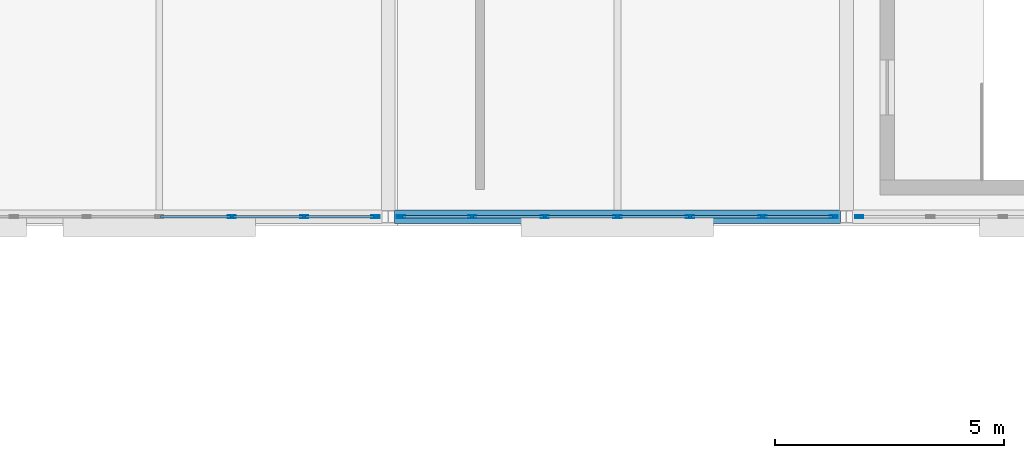
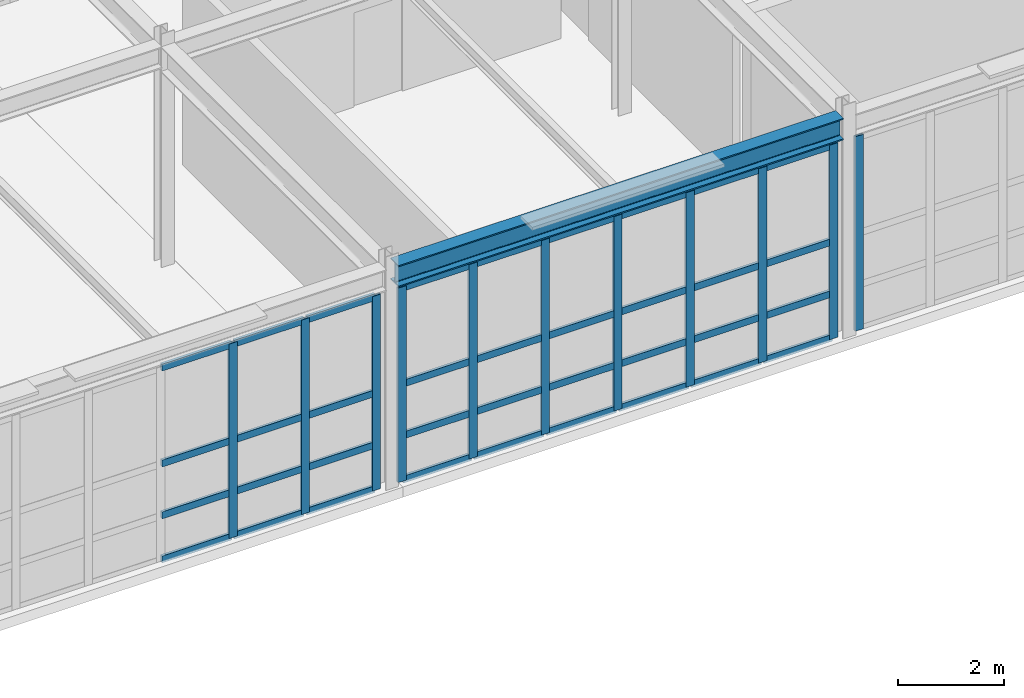
# One storey, part 149 of 239: 47 members, 1 beam, 3 elements without a shape of their own.
"""IFC4 building model written with IfcOpenShell, lengths in metres."""

import ifcopenshell
import ifcopenshell.guid

model = None  # the IFC model being written
_history = None  # IfcOwnerHistory: only IFC2X3 demands one
_inside = {}  # id of a spatial element -> (the spatial element, [elements in it])
_under = {}  # id of a project, library or spatial element -> (it, [spatial elements below it])
_declared = {}  # id of a project -> (the project, [libraries it declares])
_typed = {}  # id of a type object -> (the type object, [elements of that type])
_made_of = {}  # id of a material, layer set ... -> (it, [elements and type objects made of it])


def new_model(schema):
    """Start an empty IFC model of exactly this schema.

    Asked for "IFC4X3", IfcOpenShell would pick the latest addendum, in which some entities
    have other attributes; the version numbers below select the first issue.
    IFC2X3 requires an IfcOwnerHistory on every rooted entity: one is made here for all.
    """
    global model, _history
    if schema == "IFC4X3":
        model = ifcopenshell.file(schema_version=(4, 3, 0, 0))
    else:
        model = ifcopenshell.file(schema=schema)
    _inside.clear()
    _under.clear()
    _declared.clear()
    _typed.clear()
    _made_of.clear()
    _history = None
    if model.schema == "IFC2X3":
        org = make("IfcOrganization", Name="unknown")
        user = make(
            "IfcPersonAndOrganization",
            ThePerson=make("IfcPerson", FamilyName="unknown"),
            TheOrganization=org,
        )
        app = make(
            "IfcApplication",
            ApplicationDeveloper=org,
            Version="unknown",
            ApplicationFullName="unknown",
            ApplicationIdentifier="unknown",
        )
        _history = make(
            "IfcOwnerHistory",
            OwningUser=user,
            OwningApplication=app,
            ChangeAction="ADDED",
            CreationDate=0,
        )
    return model


def make(cls, **values):
    """One entity of the class cls with the attributes given. An attribute that is None is left unset."""
    return model.create_entity(
        cls, **{name: value for name, value in values.items() if value is not None}
    )


def rooted(cls, **values):
    """An entity with a GlobalId (a new one), such as an element, a storey or a relation."""
    return make(cls, GlobalId=ifcopenshell.guid.new(), OwnerHistory=_history, **values)


def si_unit(unit_type, name, prefix=None):
    """IfcSIUnit, for example si_unit("LENGTHUNIT", "METRE", prefix="MILLI")."""
    return make("IfcSIUnit", UnitType=unit_type, Prefix=prefix, Name=name)


def assignment(units):
    """IfcUnitAssignment: the units of a project."""
    return None if units is None else make("IfcUnitAssignment", Units=units)


def point(xyz):
    """IfcCartesianPoint."""
    return None if xyz is None else make("IfcCartesianPoint", Coordinates=xyz)


def direction(xyz):
    """IfcDirection."""
    return None if xyz is None else make("IfcDirection", DirectionRatios=xyz)


def frame(location, z_axis=None, x_axis=None):
    """IfcAxis2Placement3D, a coordinate frame: its origin and axes. An axis left out is left unset."""
    return make(
        "IfcAxis2Placement3D",
        Location=point(location),
        Axis=direction(z_axis),
        RefDirection=direction(x_axis),
    )


def frame_2d(location, x_axis=None):
    """IfcAxis2Placement2D, a coordinate frame in the plane: its origin and x axis."""
    return make(
        "IfcAxis2Placement2D", Location=point(location), RefDirection=direction(x_axis)
    )


def origin():
    """The frame at (0, 0, 0) with its axes left unset."""
    return frame((0.0, 0.0, 0.0))


def origin_2d():
    """The frame at (0, 0) in the plane with its x axis left unset."""
    return frame_2d((0.0, 0.0))


def place(relative_to, where):
    """IfcLocalPlacement: puts the frame where relative to a parent placement (None: the world)."""
    return make(
        "IfcLocalPlacement", PlacementRelTo=relative_to, RelativePlacement=where
    )


def context(
    kind, dimensions, precision=None, world=None, true_north=None, identifier=None
):
    """IfcGeometricRepresentationContext, for example the 3D "Model" context."""
    return make(
        "IfcGeometricRepresentationContext",
        ContextIdentifier=identifier,
        ContextType=kind,
        CoordinateSpaceDimension=dimensions,
        Precision=precision,
        WorldCoordinateSystem=world,
        TrueNorth=true_north,
    )


def subcontext(parent, identifier, kind, view, scale=None):
    """IfcGeometricRepresentationSubContext, for example "Body" below "Model"."""
    return make(
        "IfcGeometricRepresentationSubContext",
        ContextIdentifier=identifier,
        ContextType=kind,
        ParentContext=parent,
        TargetScale=scale,
        TargetView=view,
    )


def project(units=None, contexts=None):
    """IfcProject with its units and contexts."""
    return rooted(
        "IfcProject",
        Name="project",
        RepresentationContexts=contexts,
        UnitsInContext=assignment(units),
    )


def spatial(cls, under=None, at=None, **own):
    """A site, building, storey or space (cls), placed at a placement, below another one or the project."""
    s = rooted(cls, ObjectPlacement=at, **own)
    if under is not None:
        _under.setdefault(under.id(), (under, []))[1].append(s)
    return s


def profile(cls, at=None, kind="AREA", **sizes):
    """A parametric profile (cls). Its sizes go by their IFC names, for example OverallWidth=200.0."""
    return make(cls, ProfileType=kind, Position=at, **sizes)


def hollow_rectangle(**sizes):
    """IfcRectangleHollowProfileDef."""
    return profile("IfcRectangleHollowProfileDef", **sizes)


def i_section(**sizes):
    """IfcIShapeProfileDef."""
    return profile("IfcIShapeProfileDef", **sizes)


def extrude(swept, where, along, depth):
    """IfcExtrudedAreaSolid: the profile swept, set in the frame where, extruded along a direction by depth."""
    return make(
        "IfcExtrudedAreaSolid",
        SweptArea=swept,
        Position=where,
        ExtrudedDirection=direction(along),
        Depth=depth,
    )


def shape(context_of_items, identifier, shape_type, items):
    """IfcShapeRepresentation: the items that make up one representation, for example the "Body"."""
    return make(
        "IfcShapeRepresentation",
        ContextOfItems=context_of_items,
        RepresentationIdentifier=identifier,
        RepresentationType=shape_type,
        Items=items,
    )


def material(Name=None, Category=None):
    """IfcMaterial."""
    return make("IfcMaterial", Name=Name, Category=Category)


def material_profile(
    of_material, cross_section, Name=None, Category=None, Priority=None
):
    """IfcMaterialProfile: a cross section and its material."""
    return make(
        "IfcMaterialProfile",
        Name=Name,
        Material=of_material,
        Profile=cross_section,
        Priority=Priority,
        Category=Category,
    )


def profile_set(profiles, Name=None, composite=None):
    """IfcMaterialProfileSet."""
    return make(
        "IfcMaterialProfileSet",
        Name=Name,
        MaterialProfiles=profiles,
        CompositeProfile=composite,
    )


def made_of(thing, what):
    """Note that an element or type object is made of a material, layer set ...; save() writes the relation."""
    if what is not None:
        _made_of.setdefault(what.id(), (what, []))[1].append(thing)
    return thing


def type_object(cls, material=None, **own):
    """A type object (cls), such as IfcWallType, which elements share."""
    return made_of(rooted(cls, **own), material)


def element(
    cls,
    number,
    at=None,
    inside=None,
    cuts=None,
    type_object=None,
    material=None,
    context=None,
    identifier="Body",
    shape_type=None,
    held_by="IfcProductDefinitionShape",
    body=None,
    shapes=None,
    **own,
):
    """One element of the class cls, such as IfcWall. Its Tag is "e" and its number.

    at: its placement. inside: the storey or other place that contains it. cuts: it is an
    opening in that element (IfcRelVoidsElement). A single representation is given by context,
    identifier, shape_type and body (its items); several are given by shapes. held_by: the class
    of the entity that holds the representations. save() writes the other relations.
    """
    e = rooted(cls, Tag="e%d" % number, ObjectPlacement=at, **own)
    if body is not None:
        shapes = [shape(context, identifier, shape_type, body)]
    if shapes is not None:
        e.Representation = make(held_by, Representations=shapes)
    if inside is not None:
        _inside.setdefault(inside.id(), (inside, []))[1].append(e)
    if cuts is not None:
        rooted(
            "IfcRelVoidsElement", RelatingBuildingElement=cuts, RelatedOpeningElement=e
        )
    if type_object is not None:
        _typed.setdefault(type_object.id(), (type_object, []))[1].append(e)
    return made_of(e, material)


def aggregate(whole, parts):
    """IfcRelAggregates: a whole, such as a stair, and the parts it consists of."""
    return rooted("IfcRelAggregates", RelatingObject=whole, RelatedObjects=parts)


def save(model, path):
    """Write the relations noted so far, then the file.

    IfcRelAggregates (storeys below a building ...), IfcRelContainedInSpatialStructure (elements
    in a storey), IfcRelDefinesByType, IfcRelAssociatesMaterial and IfcRelDeclares: one each for
    every whole, place, type object, material and project.
    """
    for whole, parts in _under.values():
        aggregate(whole, parts)
    for where, things in _inside.values():
        rooted(
            "IfcRelContainedInSpatialStructure",
            RelatedElements=things,
            RelatingStructure=where,
        )
    for kind, things in _typed.values():
        rooted("IfcRelDefinesByType", RelatedObjects=things, RelatingType=kind)
    for what, things in _made_of.values():
        rooted("IfcRelAssociatesMaterial", RelatedObjects=things, RelatingMaterial=what)
    for by, libraries in _declared.values():
        rooted("IfcRelDeclares", RelatingContext=by, RelatedDefinitions=libraries)
    model.write(path)


model = new_model("IFC4")

# Units and contexts
model_context = context("Model", 3, precision=1e-05, world=origin(), true_north=direction((0.0, 1.0)))
body_context = subcontext(model_context, "Body", "Model", "MODEL_VIEW")
ifc_project = project(units=[si_unit("LENGTHUNIT", "METRE"), si_unit("AREAUNIT", "SQUARE_METRE"), si_unit("VOLUMEUNIT", "CUBIC_METRE"), si_unit("PLANEANGLEUNIT", "RADIAN"), si_unit("MASSUNIT", "GRAM", prefix="KILO")], contexts=[model_context])

# Site, building, storey
site_placement = place(None, origin())
site = spatial("IfcSite", under=ifc_project, at=site_placement, CompositionType="ELEMENT")
building_placement = place(site_placement, origin())
building = spatial("IfcBuilding", under=site, at=building_placement, Name="Kaldris Quays Convention Centre", CompositionType="ELEMENT")
storey_placement = place(building_placement, frame((0.0, 0.0, 11.39990234375)))
storey = spatial("IfcBuildingStorey", under=building, at=storey_placement, Name="L02", CompositionType="ELEMENT", Elevation=11.39990234375)

# Curtain wall, members
ifc_material_1 = material(Name="Anodized aluminium AW-6060 and triple glazing", Category="aluminium")
curtain_wall_type = type_object("IfcCurtainWallType", Name="UNITISED CURTAIN WALL CW02", PredefinedType="NOTDEFINED", material=ifc_material_1)
curtain_wall_1_placement = place(storey_placement, origin())
curtain_wall_1 = element("IfcCurtainWall", 1, at=curtain_wall_1_placement, inside=storey, type_object=curtain_wall_type, Name="L02 Unitised Curtain Wall CW02 203", PredefinedType="NOTDEFINED")
ifc_material_2 = material(Name="Anodized aluminium AW-6060", Category="aluminium")
ifc_material_profile_1 = material_profile(ifc_material_2, hollow_rectangle(XDim=0.06005859375, YDim=0.179931640625, WallThickness=0.0048828125, at=origin_2d()), Name="RHS 180x60x5")
ifc_profile_set_1 = profile_set([ifc_material_profile_1], Name="Anodized aluminium AW-6060")
member_type_1 = type_object("IfcMemberType", Name="CURTAIN MULLION CWM2", PredefinedType="MULLION", material=ifc_profile_set_1)
member_1_placement = place(storey_placement, frame((180.583251953125, 20.0, 0.0), z_axis=(0.0, 0.0, 1.0), x_axis=(0.0, 1.0, 0.0)))
member_1 = element("IfcMember", 2, at=member_1_placement, type_object=member_type_1, Name="CW02 mullion 5", PredefinedType="MULLION", context=body_context, shape_type="SweptSolid", body=[
    extrude(hollow_rectangle(XDim=0.06005859375, YDim=0.179931640625, WallThickness=0.0048828125, at=origin_2d()), origin(), (0.0, 0.0, 1.0), 4.498046875),
])
member_2_placement = place(storey_placement, frame((182.166748046875, 20.0, 0.0), z_axis=(0.0, 0.0, 1.0), x_axis=(0.0, 1.0, 0.0)))
member_2 = element("IfcMember", 3, at=member_2_placement, type_object=member_type_1, Name="CW02 mullion 6", PredefinedType="MULLION", context=body_context, shape_type="SweptSolid", body=[
    extrude(hollow_rectangle(XDim=0.06005859375, YDim=0.179931640625, WallThickness=0.0048828125, at=origin_2d()), origin(), (0.0, 0.0, 1.0), 4.498046875),
])
member_3_placement = place(storey_placement, frame((183.719970703125, 20.0, 0.0), z_axis=(0.0, 0.0, 1.0), x_axis=(0.0, 1.0, 0.0)))
member_3 = element("IfcMember", 4, at=member_3_placement, type_object=member_type_1, Name="CW02 mullion 7", PredefinedType="MULLION", context=body_context, shape_type="SweptSolid", body=[
    extrude(hollow_rectangle(XDim=0.06005859375, YDim=0.179931640625, WallThickness=0.0048828125, at=origin_2d()), origin(), (0.0, 0.0, 1.0), 4.498046875),
])

curtain_wall_2_placement = place(storey_placement, origin())
curtain_wall_2 = element("IfcCurtainWall", 5, at=curtain_wall_2_placement, inside=storey, type_object=curtain_wall_type, Name="L02 Unitised Curtain Wall CW02 205", PredefinedType="NOTDEFINED")
member_4_placement = place(storey_placement, frame((184.280029296875, 20.0, 0.0), z_axis=(0.0, 0.0, 1.0), x_axis=(0.0, 1.0, 0.0)))
member_4 = element("IfcMember", 6, at=member_4_placement, type_object=member_type_1, Name="CW02 mullion 1", PredefinedType="MULLION", context=body_context, shape_type="SweptSolid", body=[
    extrude(hollow_rectangle(XDim=0.06005859375, YDim=0.179931640625, WallThickness=0.0048828125, at=origin_2d()), origin(), (0.0, 0.0, 1.0), 4.498046875),
])
member_5_placement = place(storey_placement, frame((185.833251953125, 20.0, 0.0), z_axis=(0.0, 0.0, 1.0), x_axis=(0.0, 1.0, 0.0)))
member_5 = element("IfcMember", 7, at=member_5_placement, type_object=member_type_1, Name="CW02 mullion 2", PredefinedType="MULLION", context=body_context, shape_type="SweptSolid", body=[
    extrude(hollow_rectangle(XDim=0.06005859375, YDim=0.179931640625, WallThickness=0.0048828125, at=origin_2d()), origin(), (0.0, 0.0, 1.0), 4.498046875),
])
member_6_placement = place(storey_placement, frame((187.416748046875, 20.0, 0.0), z_axis=(0.0, 0.0, 1.0), x_axis=(0.0, 1.0, 0.0)))
member_6 = element("IfcMember", 8, at=member_6_placement, type_object=member_type_1, Name="CW02 mullion 3", PredefinedType="MULLION", context=body_context, shape_type="SweptSolid", body=[
    extrude(hollow_rectangle(XDim=0.06005859375, YDim=0.179931640625, WallThickness=0.0048828125, at=origin_2d()), origin(), (0.0, 0.0, 1.0), 4.498046875),
])
member_7_placement = place(storey_placement, frame((189.0, 20.0, 0.0), z_axis=(0.0, 0.0, 1.0), x_axis=(0.0, 1.0, 0.0)))
member_7 = element("IfcMember", 9, at=member_7_placement, type_object=member_type_1, Name="CW02 mullion 4", PredefinedType="MULLION", context=body_context, shape_type="SweptSolid", body=[
    extrude(hollow_rectangle(XDim=0.06005859375, YDim=0.179931640625, WallThickness=0.0048828125, at=origin_2d()), origin(), (0.0, 0.0, 1.0), 4.498046875),
])
member_8_placement = place(storey_placement, frame((190.583251953125, 20.0, 0.0), z_axis=(0.0, 0.0, 1.0), x_axis=(0.0, 1.0, 0.0)))
member_8 = element("IfcMember", 10, at=member_8_placement, type_object=member_type_1, Name="CW02 mullion 5", PredefinedType="MULLION", context=body_context, shape_type="SweptSolid", body=[
    extrude(hollow_rectangle(XDim=0.06005859375, YDim=0.179931640625, WallThickness=0.0048828125, at=origin_2d()), origin(), (0.0, 0.0, 1.0), 4.498046875),
])
member_9_placement = place(storey_placement, frame((192.166748046875, 20.0, 0.0), z_axis=(0.0, 0.0, 1.0), x_axis=(0.0, 1.0, 0.0)))
member_9 = element("IfcMember", 11, at=member_9_placement, type_object=member_type_1, Name="CW02 mullion 6", PredefinedType="MULLION", context=body_context, shape_type="SweptSolid", body=[
    extrude(hollow_rectangle(XDim=0.06005859375, YDim=0.179931640625, WallThickness=0.0048828125, at=origin_2d()), origin(), (0.0, 0.0, 1.0), 4.498046875),
])
member_10_placement = place(storey_placement, frame((193.719970703125, 20.0, 0.0), z_axis=(0.0, 0.0, 1.0), x_axis=(0.0, 1.0, 0.0)))
member_10 = element("IfcMember", 12, at=member_10_placement, type_object=member_type_1, Name="CW02 mullion 7", PredefinedType="MULLION", context=body_context, shape_type="SweptSolid", body=[
    extrude(hollow_rectangle(XDim=0.06005859375, YDim=0.179931640625, WallThickness=0.0048828125, at=origin_2d()), origin(), (0.0, 0.0, 1.0), 4.498046875),
])

# Curtain wall, member
curtain_wall_3_placement = place(storey_placement, origin())
curtain_wall_3 = element("IfcCurtainWall", 13, at=curtain_wall_3_placement, inside=storey, type_object=curtain_wall_type, Name="L02 Unitised Curtain Wall CW02 207", PredefinedType="NOTDEFINED")
member_11_placement = place(storey_placement, frame((194.280029296875, 20.0, 0.0), z_axis=(0.0, 0.0, 1.0), x_axis=(0.0, 1.0, 0.0)))
member_11 = element("IfcMember", 14, at=member_11_placement, type_object=member_type_1, Name="CW02 mullion 1", PredefinedType="MULLION", context=body_context, shape_type="SweptSolid", body=[
    extrude(hollow_rectangle(XDim=0.06005859375, YDim=0.179931640625, WallThickness=0.0048828125, at=origin_2d()), origin(), (0.0, 0.0, 1.0), 4.498046875),
])
aggregate(curtain_wall_3, [member_11])

# Member
ifc_material_profile_2 = material_profile(ifc_material_2, hollow_rectangle(XDim=0.06005859375, YDim=0.159912109375, WallThickness=0.00390625, at=origin_2d()), Name="RHS 160x60x4")
ifc_profile_set_2 = profile_set([ifc_material_profile_2], Name="Anodized aluminium AW-6060")
member_type_2 = type_object("IfcMemberType", Name="CURTAIN TRANSOM CWT2", PredefinedType="USERDEFINED", material=ifc_profile_set_2)
member_12_placement = place(storey_placement, frame((179.030029296875, 20.0, 0.030029296875), z_axis=(1.0, 0.0, 0.0), x_axis=(0.0, 1.0, 0.0)))
member_12 = element("IfcMember", 15, at=member_12_placement, type_object=member_type_2, Name="CW02 transom 4.1", ObjectType="TRANSOM", PredefinedType="USERDEFINED", context=body_context, shape_type="SweptSolid", body=[
    extrude(hollow_rectangle(XDim=0.06005859375, YDim=0.159912109375, WallThickness=0.00390625, at=origin_2d()), origin(), (0.0, 0.0, 1.0), 1.523193359375),
])

member_13_placement = place(storey_placement, frame((179.030029296875, 20.0, 1.050048828125), z_axis=(1.0, 0.0, 0.0), x_axis=(0.0, 1.0, 0.0)))
member_13 = element("IfcMember", 16, at=member_13_placement, type_object=member_type_2, Name="CW02 transom 4.2", ObjectType="TRANSOM", PredefinedType="USERDEFINED", context=body_context, shape_type="SweptSolid", body=[
    extrude(hollow_rectangle(XDim=0.06005859375, YDim=0.159912109375, WallThickness=0.00390625, at=origin_2d()), origin(), (0.0, 0.0, 1.0), 1.523193359375),
])

member_14_placement = place(storey_placement, frame((179.030029296875, 20.0, 2.2490234375), z_axis=(1.0, 0.0, 0.0), x_axis=(0.0, 1.0, 0.0)))
member_14 = element("IfcMember", 17, at=member_14_placement, type_object=member_type_2, Name="CW02 transom 4.3", ObjectType="TRANSOM", PredefinedType="USERDEFINED", context=body_context, shape_type="SweptSolid", body=[
    extrude(hollow_rectangle(XDim=0.06005859375, YDim=0.159912109375, WallThickness=0.00390625, at=origin_2d()), origin(), (0.0, 0.0, 1.0), 1.523193359375),
])

member_15_placement = place(storey_placement, frame((179.030029296875, 20.0, 4.468017578125), z_axis=(1.0, 0.0, 0.0), x_axis=(0.0, 1.0, 0.0)))
member_15 = element("IfcMember", 18, at=member_15_placement, type_object=member_type_2, Name="CW02 transom 4.4", ObjectType="TRANSOM", PredefinedType="USERDEFINED", context=body_context, shape_type="SweptSolid", body=[
    extrude(hollow_rectangle(XDim=0.06005859375, YDim=0.159912109375, WallThickness=0.00390625, at=origin_2d()), origin(), (0.0, 0.0, 1.0), 1.523193359375),
])

member_16_placement = place(storey_placement, frame((180.61328125, 20.0, 0.030029296875), z_axis=(1.0, 0.0, 0.0), x_axis=(0.0, 1.0, 0.0)))
member_16 = element("IfcMember", 19, at=member_16_placement, type_object=member_type_2, Name="CW02 transom 5.1", ObjectType="TRANSOM", PredefinedType="USERDEFINED", context=body_context, shape_type="SweptSolid", body=[
    extrude(hollow_rectangle(XDim=0.06005859375, YDim=0.159912109375, WallThickness=0.00390625, at=origin_2d()), origin(), (0.0, 0.0, 1.0), 1.5234375),
])

member_17_placement = place(storey_placement, frame((180.61328125, 20.0, 1.050048828125), z_axis=(1.0, 0.0, 0.0), x_axis=(0.0, 1.0, 0.0)))
member_17 = element("IfcMember", 20, at=member_17_placement, type_object=member_type_2, Name="CW02 transom 5.2", ObjectType="TRANSOM", PredefinedType="USERDEFINED", context=body_context, shape_type="SweptSolid", body=[
    extrude(hollow_rectangle(XDim=0.06005859375, YDim=0.159912109375, WallThickness=0.00390625, at=origin_2d()), origin(), (0.0, 0.0, 1.0), 1.5234375),
])

member_18_placement = place(storey_placement, frame((180.61328125, 20.0, 2.2490234375), z_axis=(1.0, 0.0, 0.0), x_axis=(0.0, 1.0, 0.0)))
member_18 = element("IfcMember", 21, at=member_18_placement, type_object=member_type_2, Name="CW02 transom 5.3", ObjectType="TRANSOM", PredefinedType="USERDEFINED", context=body_context, shape_type="SweptSolid", body=[
    extrude(hollow_rectangle(XDim=0.06005859375, YDim=0.159912109375, WallThickness=0.00390625, at=origin_2d()), origin(), (0.0, 0.0, 1.0), 1.5234375),
])

member_19_placement = place(storey_placement, frame((180.61328125, 20.0, 4.468017578125), z_axis=(1.0, 0.0, 0.0), x_axis=(0.0, 1.0, 0.0)))
member_19 = element("IfcMember", 22, at=member_19_placement, type_object=member_type_2, Name="CW02 transom 5.4", ObjectType="TRANSOM", PredefinedType="USERDEFINED", context=body_context, shape_type="SweptSolid", body=[
    extrude(hollow_rectangle(XDim=0.06005859375, YDim=0.159912109375, WallThickness=0.00390625, at=origin_2d()), origin(), (0.0, 0.0, 1.0), 1.5234375),
])

member_20_placement = place(storey_placement, frame((182.19677734375, 20.0, 0.030029296875), z_axis=(1.0, 0.0, 0.0), x_axis=(0.0, 1.0, 0.0)))
member_20 = element("IfcMember", 23, at=member_20_placement, type_object=member_type_2, Name="CW02 transom 6.1", ObjectType="TRANSOM", PredefinedType="USERDEFINED", context=body_context, shape_type="SweptSolid", body=[
    extrude(hollow_rectangle(XDim=0.06005859375, YDim=0.159912109375, WallThickness=0.00390625, at=origin_2d()), origin(), (0.0, 0.0, 1.0), 1.4931640625),
])

member_21_placement = place(storey_placement, frame((182.19677734375, 20.0, 1.050048828125), z_axis=(1.0, 0.0, 0.0), x_axis=(0.0, 1.0, 0.0)))
member_21 = element("IfcMember", 24, at=member_21_placement, type_object=member_type_2, Name="CW02 transom 6.2", ObjectType="TRANSOM", PredefinedType="USERDEFINED", context=body_context, shape_type="SweptSolid", body=[
    extrude(hollow_rectangle(XDim=0.06005859375, YDim=0.159912109375, WallThickness=0.00390625, at=origin_2d()), origin(), (0.0, 0.0, 1.0), 1.4931640625),
])

member_22_placement = place(storey_placement, frame((182.19677734375, 20.0, 2.2490234375), z_axis=(1.0, 0.0, 0.0), x_axis=(0.0, 1.0, 0.0)))
member_22 = element("IfcMember", 25, at=member_22_placement, type_object=member_type_2, Name="CW02 transom 6.3", ObjectType="TRANSOM", PredefinedType="USERDEFINED", context=body_context, shape_type="SweptSolid", body=[
    extrude(hollow_rectangle(XDim=0.06005859375, YDim=0.159912109375, WallThickness=0.00390625, at=origin_2d()), origin(), (0.0, 0.0, 1.0), 1.4931640625),
])

member_23_placement = place(storey_placement, frame((182.19677734375, 20.0, 4.468017578125), z_axis=(1.0, 0.0, 0.0), x_axis=(0.0, 1.0, 0.0)))
member_23 = element("IfcMember", 26, at=member_23_placement, type_object=member_type_2, Name="CW02 transom 6.4", ObjectType="TRANSOM", PredefinedType="USERDEFINED", context=body_context, shape_type="SweptSolid", body=[
    extrude(hollow_rectangle(XDim=0.06005859375, YDim=0.159912109375, WallThickness=0.00390625, at=origin_2d()), origin(), (0.0, 0.0, 1.0), 1.4931640625),
])

aggregate(curtain_wall_1, [member_1, member_2, member_3, member_12, member_13, member_14, member_15, member_16, member_17, member_18, member_19, member_20, member_21, member_22, member_23])

member_24_placement = place(storey_placement, frame((184.31005859375, 20.0, 0.030029296875), z_axis=(1.0, 0.0, 0.0), x_axis=(0.0, 1.0, 0.0)))
member_24 = element("IfcMember", 27, at=member_24_placement, type_object=member_type_2, Name="CW02 transom 1.1", ObjectType="TRANSOM", PredefinedType="USERDEFINED", context=body_context, shape_type="SweptSolid", body=[
    extrude(hollow_rectangle(XDim=0.06005859375, YDim=0.159912109375, WallThickness=0.00390625, at=origin_2d()), origin(), (0.0, 0.0, 1.0), 1.4931640625),
])

member_25_placement = place(storey_placement, frame((184.31005859375, 20.0, 1.050048828125), z_axis=(1.0, 0.0, 0.0), x_axis=(0.0, 1.0, 0.0)))
member_25 = element("IfcMember", 28, at=member_25_placement, type_object=member_type_2, Name="CW02 transom 1.2", ObjectType="TRANSOM", PredefinedType="USERDEFINED", context=body_context, shape_type="SweptSolid", body=[
    extrude(hollow_rectangle(XDim=0.06005859375, YDim=0.159912109375, WallThickness=0.00390625, at=origin_2d()), origin(), (0.0, 0.0, 1.0), 1.4931640625),
])

member_26_placement = place(storey_placement, frame((184.31005859375, 20.0, 2.2490234375), z_axis=(1.0, 0.0, 0.0), x_axis=(0.0, 1.0, 0.0)))
member_26 = element("IfcMember", 29, at=member_26_placement, type_object=member_type_2, Name="CW02 transom 1.3", ObjectType="TRANSOM", PredefinedType="USERDEFINED", context=body_context, shape_type="SweptSolid", body=[
    extrude(hollow_rectangle(XDim=0.06005859375, YDim=0.159912109375, WallThickness=0.00390625, at=origin_2d()), origin(), (0.0, 0.0, 1.0), 1.4931640625),
])

member_27_placement = place(storey_placement, frame((184.31005859375, 20.0, 4.468017578125), z_axis=(1.0, 0.0, 0.0), x_axis=(0.0, 1.0, 0.0)))
member_27 = element("IfcMember", 30, at=member_27_placement, type_object=member_type_2, Name="CW02 transom 1.4", ObjectType="TRANSOM", PredefinedType="USERDEFINED", context=body_context, shape_type="SweptSolid", body=[
    extrude(hollow_rectangle(XDim=0.06005859375, YDim=0.159912109375, WallThickness=0.00390625, at=origin_2d()), origin(), (0.0, 0.0, 1.0), 1.4931640625),
])

member_28_placement = place(storey_placement, frame((185.86328125, 20.0, 0.030029296875), z_axis=(1.0, 0.0, 0.0), x_axis=(0.0, 1.0, 0.0)))
member_28 = element("IfcMember", 31, at=member_28_placement, type_object=member_type_2, Name="CW02 transom 2.1", ObjectType="TRANSOM", PredefinedType="USERDEFINED", context=body_context, shape_type="SweptSolid", body=[
    extrude(hollow_rectangle(XDim=0.06005859375, YDim=0.159912109375, WallThickness=0.00390625, at=origin_2d()), origin(), (0.0, 0.0, 1.0), 1.5234375),
])

member_29_placement = place(storey_placement, frame((185.86328125, 20.0, 1.050048828125), z_axis=(1.0, 0.0, 0.0), x_axis=(0.0, 1.0, 0.0)))
member_29 = element("IfcMember", 32, at=member_29_placement, type_object=member_type_2, Name="CW02 transom 2.2", ObjectType="TRANSOM", PredefinedType="USERDEFINED", context=body_context, shape_type="SweptSolid", body=[
    extrude(hollow_rectangle(XDim=0.06005859375, YDim=0.159912109375, WallThickness=0.00390625, at=origin_2d()), origin(), (0.0, 0.0, 1.0), 1.5234375),
])

member_30_placement = place(storey_placement, frame((185.86328125, 20.0, 2.2490234375), z_axis=(1.0, 0.0, 0.0), x_axis=(0.0, 1.0, 0.0)))
member_30 = element("IfcMember", 33, at=member_30_placement, type_object=member_type_2, Name="CW02 transom 2.3", ObjectType="TRANSOM", PredefinedType="USERDEFINED", context=body_context, shape_type="SweptSolid", body=[
    extrude(hollow_rectangle(XDim=0.06005859375, YDim=0.159912109375, WallThickness=0.00390625, at=origin_2d()), origin(), (0.0, 0.0, 1.0), 1.5234375),
])

member_31_placement = place(storey_placement, frame((185.86328125, 20.0, 4.468017578125), z_axis=(1.0, 0.0, 0.0), x_axis=(0.0, 1.0, 0.0)))
member_31 = element("IfcMember", 34, at=member_31_placement, type_object=member_type_2, Name="CW02 transom 2.4", ObjectType="TRANSOM", PredefinedType="USERDEFINED", context=body_context, shape_type="SweptSolid", body=[
    extrude(hollow_rectangle(XDim=0.06005859375, YDim=0.159912109375, WallThickness=0.00390625, at=origin_2d()), origin(), (0.0, 0.0, 1.0), 1.5234375),
])

member_32_placement = place(storey_placement, frame((187.44677734375, 20.0, 0.030029296875), z_axis=(1.0, 0.0, 0.0), x_axis=(0.0, 1.0, 0.0)))
member_32 = element("IfcMember", 35, at=member_32_placement, type_object=member_type_2, Name="CW02 transom 3.1", ObjectType="TRANSOM", PredefinedType="USERDEFINED", context=body_context, shape_type="SweptSolid", body=[
    extrude(hollow_rectangle(XDim=0.06005859375, YDim=0.159912109375, WallThickness=0.00390625, at=origin_2d()), origin(), (0.0, 0.0, 1.0), 1.523193359375),
])

member_33_placement = place(storey_placement, frame((187.44677734375, 20.0, 1.050048828125), z_axis=(1.0, 0.0, 0.0), x_axis=(0.0, 1.0, 0.0)))
member_33 = element("IfcMember", 36, at=member_33_placement, type_object=member_type_2, Name="CW02 transom 3.2", ObjectType="TRANSOM", PredefinedType="USERDEFINED", context=body_context, shape_type="SweptSolid", body=[
    extrude(hollow_rectangle(XDim=0.06005859375, YDim=0.159912109375, WallThickness=0.00390625, at=origin_2d()), origin(), (0.0, 0.0, 1.0), 1.523193359375),
])

member_34_placement = place(storey_placement, frame((187.44677734375, 20.0, 2.2490234375), z_axis=(1.0, 0.0, 0.0), x_axis=(0.0, 1.0, 0.0)))
member_34 = element("IfcMember", 37, at=member_34_placement, type_object=member_type_2, Name="CW02 transom 3.3", ObjectType="TRANSOM", PredefinedType="USERDEFINED", context=body_context, shape_type="SweptSolid", body=[
    extrude(hollow_rectangle(XDim=0.06005859375, YDim=0.159912109375, WallThickness=0.00390625, at=origin_2d()), origin(), (0.0, 0.0, 1.0), 1.523193359375),
])

member_35_placement = place(storey_placement, frame((187.44677734375, 20.0, 4.468017578125), z_axis=(1.0, 0.0, 0.0), x_axis=(0.0, 1.0, 0.0)))
member_35 = element("IfcMember", 38, at=member_35_placement, type_object=member_type_2, Name="CW02 transom 3.4", ObjectType="TRANSOM", PredefinedType="USERDEFINED", context=body_context, shape_type="SweptSolid", body=[
    extrude(hollow_rectangle(XDim=0.06005859375, YDim=0.159912109375, WallThickness=0.00390625, at=origin_2d()), origin(), (0.0, 0.0, 1.0), 1.523193359375),
])

member_36_placement = place(storey_placement, frame((189.030029296875, 20.0, 0.030029296875), z_axis=(1.0, 0.0, 0.0), x_axis=(0.0, 1.0, 0.0)))
member_36 = element("IfcMember", 39, at=member_36_placement, type_object=member_type_2, Name="CW02 transom 4.1", ObjectType="TRANSOM", PredefinedType="USERDEFINED", context=body_context, shape_type="SweptSolid", body=[
    extrude(hollow_rectangle(XDim=0.06005859375, YDim=0.159912109375, WallThickness=0.00390625, at=origin_2d()), origin(), (0.0, 0.0, 1.0), 1.523193359375),
])

member_37_placement = place(storey_placement, frame((189.030029296875, 20.0, 1.050048828125), z_axis=(1.0, 0.0, 0.0), x_axis=(0.0, 1.0, 0.0)))
member_37 = element("IfcMember", 40, at=member_37_placement, type_object=member_type_2, Name="CW02 transom 4.2", ObjectType="TRANSOM", PredefinedType="USERDEFINED", context=body_context, shape_type="SweptSolid", body=[
    extrude(hollow_rectangle(XDim=0.06005859375, YDim=0.159912109375, WallThickness=0.00390625, at=origin_2d()), origin(), (0.0, 0.0, 1.0), 1.523193359375),
])

member_38_placement = place(storey_placement, frame((189.030029296875, 20.0, 2.2490234375), z_axis=(1.0, 0.0, 0.0), x_axis=(0.0, 1.0, 0.0)))
member_38 = element("IfcMember", 41, at=member_38_placement, type_object=member_type_2, Name="CW02 transom 4.3", ObjectType="TRANSOM", PredefinedType="USERDEFINED", context=body_context, shape_type="SweptSolid", body=[
    extrude(hollow_rectangle(XDim=0.06005859375, YDim=0.159912109375, WallThickness=0.00390625, at=origin_2d()), origin(), (0.0, 0.0, 1.0), 1.523193359375),
])

member_39_placement = place(storey_placement, frame((189.030029296875, 20.0, 4.468017578125), z_axis=(1.0, 0.0, 0.0), x_axis=(0.0, 1.0, 0.0)))
member_39 = element("IfcMember", 42, at=member_39_placement, type_object=member_type_2, Name="CW02 transom 4.4", ObjectType="TRANSOM", PredefinedType="USERDEFINED", context=body_context, shape_type="SweptSolid", body=[
    extrude(hollow_rectangle(XDim=0.06005859375, YDim=0.159912109375, WallThickness=0.00390625, at=origin_2d()), origin(), (0.0, 0.0, 1.0), 1.523193359375),
])

member_40_placement = place(storey_placement, frame((190.61328125, 20.0, 0.030029296875), z_axis=(1.0, 0.0, 0.0), x_axis=(0.0, 1.0, 0.0)))
member_40 = element("IfcMember", 43, at=member_40_placement, type_object=member_type_2, Name="CW02 transom 5.1", ObjectType="TRANSOM", PredefinedType="USERDEFINED", context=body_context, shape_type="SweptSolid", body=[
    extrude(hollow_rectangle(XDim=0.06005859375, YDim=0.159912109375, WallThickness=0.00390625, at=origin_2d()), origin(), (0.0, 0.0, 1.0), 1.5234375),
])

member_41_placement = place(storey_placement, frame((190.61328125, 20.0, 1.050048828125), z_axis=(1.0, 0.0, 0.0), x_axis=(0.0, 1.0, 0.0)))
member_41 = element("IfcMember", 44, at=member_41_placement, type_object=member_type_2, Name="CW02 transom 5.2", ObjectType="TRANSOM", PredefinedType="USERDEFINED", context=body_context, shape_type="SweptSolid", body=[
    extrude(hollow_rectangle(XDim=0.06005859375, YDim=0.159912109375, WallThickness=0.00390625, at=origin_2d()), origin(), (0.0, 0.0, 1.0), 1.5234375),
])

member_42_placement = place(storey_placement, frame((190.61328125, 20.0, 2.2490234375), z_axis=(1.0, 0.0, 0.0), x_axis=(0.0, 1.0, 0.0)))
member_42 = element("IfcMember", 45, at=member_42_placement, type_object=member_type_2, Name="CW02 transom 5.3", ObjectType="TRANSOM", PredefinedType="USERDEFINED", context=body_context, shape_type="SweptSolid", body=[
    extrude(hollow_rectangle(XDim=0.06005859375, YDim=0.159912109375, WallThickness=0.00390625, at=origin_2d()), origin(), (0.0, 0.0, 1.0), 1.5234375),
])

member_43_placement = place(storey_placement, frame((190.61328125, 20.0, 4.468017578125), z_axis=(1.0, 0.0, 0.0), x_axis=(0.0, 1.0, 0.0)))
member_43 = element("IfcMember", 46, at=member_43_placement, type_object=member_type_2, Name="CW02 transom 5.4", ObjectType="TRANSOM", PredefinedType="USERDEFINED", context=body_context, shape_type="SweptSolid", body=[
    extrude(hollow_rectangle(XDim=0.06005859375, YDim=0.159912109375, WallThickness=0.00390625, at=origin_2d()), origin(), (0.0, 0.0, 1.0), 1.5234375),
])

member_44_placement = place(storey_placement, frame((192.19677734375, 20.0, 0.030029296875), z_axis=(1.0, 0.0, 0.0), x_axis=(0.0, 1.0, 0.0)))
member_44 = element("IfcMember", 47, at=member_44_placement, type_object=member_type_2, Name="CW02 transom 6.1", ObjectType="TRANSOM", PredefinedType="USERDEFINED", context=body_context, shape_type="SweptSolid", body=[
    extrude(hollow_rectangle(XDim=0.06005859375, YDim=0.159912109375, WallThickness=0.00390625, at=origin_2d()), origin(), (0.0, 0.0, 1.0), 1.4931640625),
])

member_45_placement = place(storey_placement, frame((192.19677734375, 20.0, 1.050048828125), z_axis=(1.0, 0.0, 0.0), x_axis=(0.0, 1.0, 0.0)))
member_45 = element("IfcMember", 48, at=member_45_placement, type_object=member_type_2, Name="CW02 transom 6.2", ObjectType="TRANSOM", PredefinedType="USERDEFINED", context=body_context, shape_type="SweptSolid", body=[
    extrude(hollow_rectangle(XDim=0.06005859375, YDim=0.159912109375, WallThickness=0.00390625, at=origin_2d()), origin(), (0.0, 0.0, 1.0), 1.4931640625),
])

member_46_placement = place(storey_placement, frame((192.19677734375, 20.0, 2.2490234375), z_axis=(1.0, 0.0, 0.0), x_axis=(0.0, 1.0, 0.0)))
member_46 = element("IfcMember", 49, at=member_46_placement, type_object=member_type_2, Name="CW02 transom 6.3", ObjectType="TRANSOM", PredefinedType="USERDEFINED", context=body_context, shape_type="SweptSolid", body=[
    extrude(hollow_rectangle(XDim=0.06005859375, YDim=0.159912109375, WallThickness=0.00390625, at=origin_2d()), origin(), (0.0, 0.0, 1.0), 1.4931640625),
])

member_47_placement = place(storey_placement, frame((192.19677734375, 20.0, 4.468017578125), z_axis=(1.0, 0.0, 0.0), x_axis=(0.0, 1.0, 0.0)))
member_47 = element("IfcMember", 50, at=member_47_placement, type_object=member_type_2, Name="CW02 transom 6.4", ObjectType="TRANSOM", PredefinedType="USERDEFINED", context=body_context, shape_type="SweptSolid", body=[
    extrude(hollow_rectangle(XDim=0.06005859375, YDim=0.159912109375, WallThickness=0.00390625, at=origin_2d()), origin(), (0.0, 0.0, 1.0), 1.4931640625),
])

aggregate(curtain_wall_2, [member_4, member_5, member_6, member_7, member_8, member_9, member_10, member_24, member_25, member_26, member_27, member_28, member_29, member_30, member_31, member_32, member_33, member_34, member_35, member_36, member_37, member_38, member_39, member_40, member_41, member_42, member_43, member_44, member_45, member_46, member_47])

# Beam
ifc_material_3 = material(Name="Steel S355J2", Category="steel")
ifc_material_profile_3 = material_profile(ifc_material_3, i_section(OverallWidth=0.300048828125, OverallDepth=0.5, WebThickness=0.014404296875, FlangeThickness=0.028076171875, FilletRadius=0.027099609375, at=origin_2d()), Name="HEB 500")
ifc_profile_set_3 = profile_set([ifc_material_profile_3], Name="Steel S355J2")
beam_type = type_object("IfcBeamType", Name="STRUCTURAL BEAM BM06", PredefinedType="BEAM", material=ifc_profile_set_3)
beam_placement = place(storey_placement, frame((184.134033203125, 20.0, 4.863037109375), z_axis=(1.0, 0.0, 0.0), x_axis=(0.0, 1.0, 0.0)))
element("IfcBeam", 51, at=beam_placement, inside=storey, type_object=beam_type, Name="L02 Girder BM06 4", PredefinedType="BEAM", context=body_context, shape_type="SweptSolid", body=[
    extrude(i_section(OverallWidth=0.300048828125, OverallDepth=0.5, WebThickness=0.014404296875, FlangeThickness=0.028076171875, FilletRadius=0.027099609375, at=origin_2d()), origin(), (0.0, 0.0, 1.0), 9.73193359375),
])

save(model, "model.ifc")
